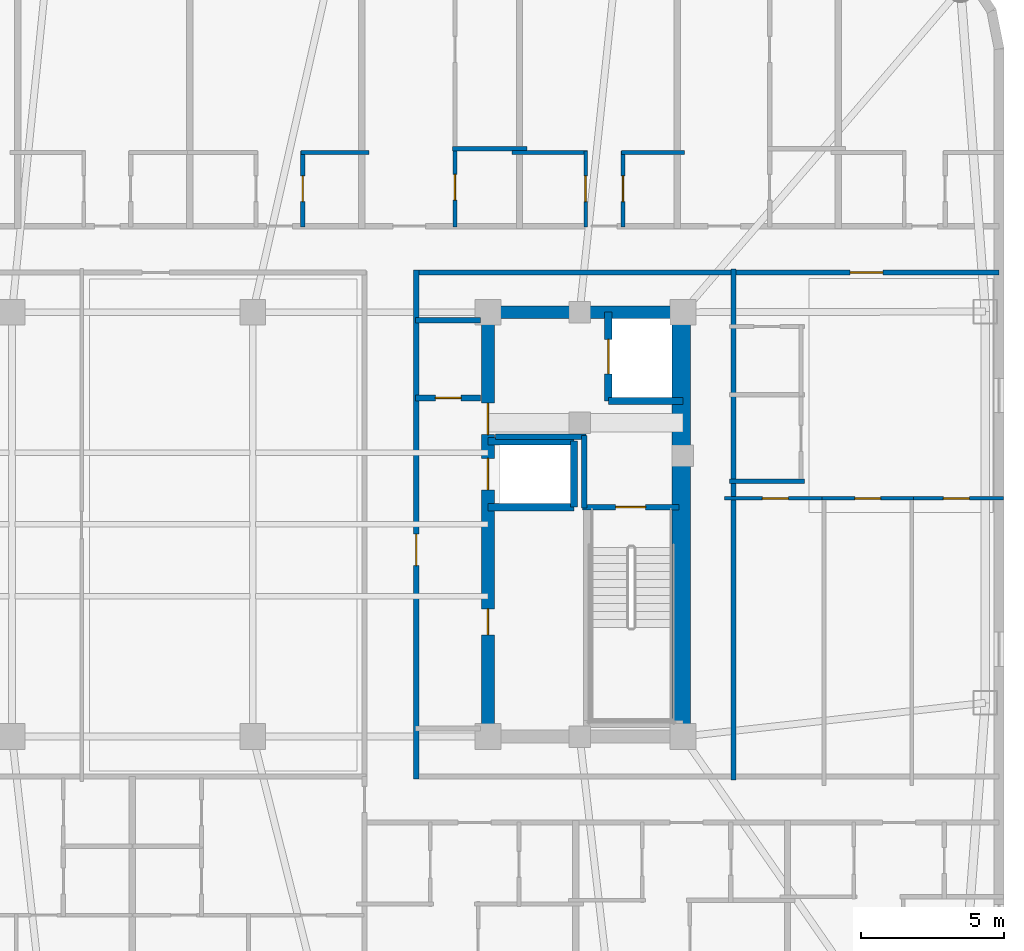
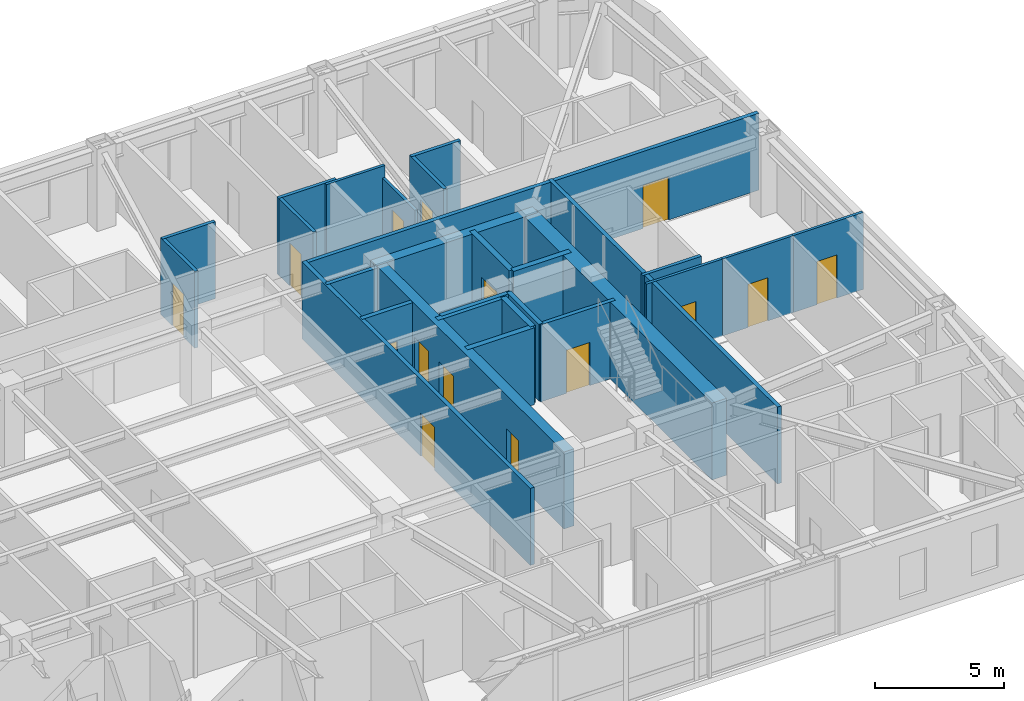
# One storey, part 12 of 16: 28 walls, 15 doors, 15 openings.
"""IFC4 building model written with IfcOpenShell, lengths in metres."""

from ifc_helpers import new_model, si_unit, direction, frame, frame_2d, origin, place, context, subcontext, project, spatial, rectangle, extrude, material, layer, layer_set, type_object, element, fill, save


model = new_model("IFC4")

# Units and contexts
model_context = context("Model", 3, precision=1e-05, world=origin(), true_north=direction((0.0, 1.0)))
body_context = subcontext(model_context, "Body", "Model", "MODEL_VIEW")
ifc_project = project(units=[si_unit("LENGTHUNIT", "METRE"), si_unit("AREAUNIT", "SQUARE_METRE"), si_unit("VOLUMEUNIT", "CUBIC_METRE"), si_unit("PLANEANGLEUNIT", "RADIAN"), si_unit("MASSUNIT", "GRAM", prefix="KILO")], contexts=[model_context])

# Site, building, storey
site_placement = place(None, origin())
site = spatial("IfcSite", under=ifc_project, at=site_placement, CompositionType="ELEMENT")
building_placement = place(site_placement, origin())
building = spatial("IfcBuilding", under=site, at=building_placement, Name="Voryun Gate Residences", CompositionType="ELEMENT")
storey_placement = place(building_placement, frame((0.0, 0.0, 208.0)))
storey = spatial("IfcBuildingStorey", under=building, at=storey_placement, Name="L51", CompositionType="ELEMENT", Elevation=208.0)

# Wall
ifc_material_1 = material(Name="Concrete C50/60", Category="concrete")
ifc_layer_1 = layer(ifc_material_1, 0.449951171875, Name="CW_CORE_450")
ifc_layer_set_1 = layer_set([ifc_layer_1], Name="Concrete C50/60")
wall_type_1 = type_object("IfcWallType", Name="CW_CORE_450", PredefinedType="SHEAR", material=ifc_layer_set_1)
wall_1_placement = place(storey_placement, frame((12.175048828125, 7.39990234375, 0.0), z_axis=(0.0, 0.0, 1.0), x_axis=(1.0, 0.0, 0.0)))
element("IfcWall", 1, at=wall_1_placement, inside=storey, type_object=wall_type_1, Name="L51 Core shear wall CW-L51-EN", PredefinedType="SHEAR", context=body_context, shape_type="SweptSolid", body=[
    extrude(rectangle(XDim=7.25, YDim=0.449951171875, at=frame_2d((3.625, 0.0))), origin(), (0.0, 0.0, 1.0), 3.64990234375),
])

# Wall, openings, doors
wall_2_placement = place(storey_placement, frame((12.39990234375, -7.39990234375, 0.0), z_axis=(0.0, 0.0, 1.0), x_axis=(0.0, 1.0, 0.0)))
wall_2 = element("IfcWall", 2, at=wall_2_placement, inside=storey, type_object=wall_type_1, Name="L51 Core shear wall CW-L51-EW", PredefinedType="SHEAR", context=body_context, shape_type="SweptSolid", body=[
    extrude(rectangle(XDim=14.7998046875, YDim=0.449951171875, at=frame_2d((7.39990234375, 0.0))), origin(), (0.0, 0.0, 1.0), 3.64990234375),
])
opening_1_placement = place(wall_2_placement, frame((8.60009765625, 0.0, 0.0)))
opening_1 = element("IfcOpeningElement", 3, at=opening_1_placement, cuts=wall_2, Name="Opening LD2", PredefinedType="OPENING", context=body_context, shape_type="SweptSolid", body=[
    extrude(rectangle(XDim=1.10009765625, YDim=2.050048828125, at=frame_2d((0.550048828125, 1.02490234375))), frame((0.0, 0.235107421875, 0.0), z_axis=(0.0, -1.0, 0.0), x_axis=(1.0, 0.0, 0.0)), (0.0, 0.0, 1.0), 0.469970703125),
])
opening_2_placement = place(wall_2_placement, frame((10.530029296875, 0.0, 0.0)))
opening_2 = element("IfcOpeningElement", 4, at=opening_2_placement, cuts=wall_2, Name="Opening D-FD60-2", PredefinedType="OPENING", context=body_context, shape_type="SweptSolid", body=[
    extrude(rectangle(XDim=1.10009765625, YDim=2.050048828125, at=frame_2d((0.550048828125, 1.02490234375))), frame((0.0, 0.235107421875, 0.0), z_axis=(0.0, -1.0, 0.0), x_axis=(1.0, 0.0, 0.0)), (0.0, 0.0, 1.0), 0.469970703125),
])
opening_3_placement = place(wall_2_placement, frame((3.550048828125, 0.0, 0.0)))
opening_3 = element("IfcOpeningElement", 5, at=opening_3_placement, cuts=wall_2, Name="Opening D-FD60-4", PredefinedType="OPENING", context=body_context, shape_type="SweptSolid", body=[
    extrude(rectangle(XDim=0.89990234375, YDim=2.050048828125, at=frame_2d((0.449951171875, 1.02490234375))), frame((0.0, 0.235107421875, 0.0), z_axis=(0.0, -1.0, 0.0), x_axis=(1.0, 0.0, 0.0)), (0.0, 0.0, 1.0), 0.469970703125),
])
ifc_material_2 = material(Name="Painted steel fire door", Category="steel")
door_type_1 = type_object("IfcDoorType", Name="DR_FD60_FFLOB_1100", OperationType="NOTDEFINED", PredefinedType="DOOR", material=ifc_material_2)
door_1_placement = place(opening_2_placement, origin())
door_1 = element("IfcDoor", 6, at=door_1_placement, inside=storey, type_object=door_type_1, Name="Door DR-L51-CLOB-E", OperationType="SINGLE_SWING_RIGHT", OverallHeight=2.050048828125, OverallWidth=1.10009765625, PredefinedType="DOOR", context=body_context, shape_type="SweptSolid", body=[
    extrude(rectangle(XDim=1.10009765625, YDim=2.050048828125, at=frame_2d((0.550048828125, 1.02490234375))), frame((0.0, 0.02490234375, 0.0), z_axis=(0.0, -1.0, 0.0), x_axis=(1.0, 0.0, 0.0)), (0.0, 0.0, 1.0), 0.050048828125),
])
fill(opening_2, door_1)
ifc_material_3 = material(Name="Painted steel fire door", Category="steel")
door_type_2 = type_object("IfcDoorType", Name="DR_FD60_RISER_900", OperationType="NOTDEFINED", PredefinedType="DOOR", material=ifc_material_3)
door_2_placement = place(opening_3_placement, origin())
door_2 = element("IfcDoor", 7, at=door_2_placement, inside=storey, type_object=door_type_2, Name="Door DR-L51-RECE-HI", OperationType="SINGLE_SWING_RIGHT", OverallHeight=2.050048828125, OverallWidth=0.89990234375, PredefinedType="DOOR", context=body_context, shape_type="SweptSolid", body=[
    extrude(rectangle(XDim=0.89990234375, YDim=2.050048828125, at=frame_2d((0.449951171875, 1.02490234375))), frame((0.0, 0.02490234375, 0.0), z_axis=(0.0, -1.0, 0.0), x_axis=(1.0, 0.0, 0.0)), (0.0, 0.0, 1.0), 0.050048828125),
])
fill(opening_3, door_2)
ifc_material_4 = material(Name="Anodised aluminium", Category="aluminium")
door_type_3 = type_object("IfcDoorType", Name="DR_LD_PASS_1100", OperationType="NOTDEFINED", PredefinedType="DOOR", material=ifc_material_4)
door_3_placement = place(opening_1_placement, origin())
door_3 = element("IfcDoor", 8, at=door_3_placement, inside=storey, type_object=door_type_3, Name="Lift EL-P8 sliding landing door L51", OperationType="SLIDING_TO_LEFT", OverallHeight=2.050048828125, OverallWidth=1.10009765625, PredefinedType="DOOR", context=body_context, shape_type="SweptSolid", body=[
    extrude(rectangle(XDim=1.10009765625, YDim=2.050048828125, at=frame_2d((0.550048828125, 1.02490234375))), frame((0.0, 0.02490234375, 0.0), z_axis=(0.0, -1.0, 0.0), x_axis=(1.0, 0.0, 0.0)), (0.0, 0.0, 1.0), 0.050048828125),
])
fill(opening_1, door_3)

# Wall
ifc_material_5 = material(Name="Concrete C60/75", Category="concrete")
ifc_layer_2 = layer(ifc_material_5, 0.64990234375, Name="CW_CORE_650")
ifc_layer_set_2 = layer_set([ifc_layer_2], Name="Concrete C60/75")
wall_type_2 = type_object("IfcWallType", Name="CW_CORE_650", PredefinedType="SHEAR", material=ifc_layer_set_2)
wall_3_placement = place(storey_placement, frame((19.14501953125, -7.39990234375, 0.0), z_axis=(0.0, 0.0, 1.0), x_axis=(0.0, 1.0, 0.0)))
element("IfcWall", 9, at=wall_3_placement, inside=storey, type_object=wall_type_2, Name="L51 Core shear wall CW-L51-EE", PredefinedType="SHEAR", context=body_context, shape_type="SweptSolid", body=[
    extrude(rectangle(XDim=14.7998046875, YDim=0.64990234375, at=frame_2d((7.39990234375, 0.0))), origin(), (0.0, 0.0, 1.0), 3.64990234375),
])

# Wall, opening, door
ifc_material_6 = material(Name="Gypsum acoustic fireboard")
ifc_layer_3 = layer(ifc_material_6, 0.179931640625, Name="W_CORR_RATED_180")
ifc_layer_set_3 = layer_set([ifc_layer_3], Name="Gypsum acoustic fireboard")
wall_type_3 = type_object("IfcWallType", Name="W_CORR_RATED_180", PredefinedType="PARTITIONING", material=ifc_layer_set_3)
wall_4_placement = place(storey_placement, frame((15.699951171875, 0.60009765625, 0.0), z_axis=(0.0, 0.0, 1.0), x_axis=(1.0, 0.0, 0.0)))
wall_4 = element("IfcWall", 10, at=wall_4_placement, inside=storey, type_object=wall_type_3, Name="Partition wall WP-L51-STV-E", PredefinedType="PARTITIONING", context=body_context, shape_type="SweptSolid", body=[
    extrude(rectangle(XDim=3.360107421875, YDim=0.179931640625, at=frame_2d((1.68017578125, 0.0))), origin(), (0.0, 0.0, 1.0), 3.64990234375),
])
opening_4_placement = place(wall_4_placement, frame((1.155029296875, 0.0, 0.0)))
opening_4 = element("IfcOpeningElement", 11, at=opening_4_placement, cuts=wall_4, Name="Opening D-FD60-1", PredefinedType="OPENING", context=body_context, shape_type="SweptSolid", body=[
    extrude(rectangle(XDim=1.050048828125, YDim=2.050048828125, at=frame_2d((0.52490234375, 1.02490234375))), frame((0.0, 0.099853515625, 0.0), z_axis=(0.0, -1.0, 0.0), x_axis=(1.0, 0.0, 0.0)), (0.0, 0.0, 1.0), 0.199951171875),
])
ifc_material_7 = material(Name="Painted steel fire door", Category="steel")
door_type_4 = type_object("IfcDoorType", Name="DR_FD60_STAIR_1050", OperationType="NOTDEFINED", PredefinedType="DOOR", material=ifc_material_7)
door_4_placement = place(opening_4_placement, origin())
door_4 = element("IfcDoor", 12, at=door_4_placement, inside=storey, type_object=door_type_4, Name="Door DR-L51-ST-E", OperationType="SINGLE_SWING_RIGHT", OverallHeight=2.050048828125, OverallWidth=1.050048828125, PredefinedType="DOOR", context=body_context, shape_type="SweptSolid", body=[
    extrude(rectangle(XDim=1.050048828125, YDim=2.050048828125, at=frame_2d((0.52490234375, 1.02490234375))), frame((0.0, 0.02490234375, 0.0), z_axis=(0.0, -1.0, 0.0), x_axis=(1.0, 0.0, 0.0)), (0.0, 0.0, 1.0), 0.050048828125),
])
fill(opening_4, door_4)

# Wall
wall_5_placement = place(storey_placement, frame((9.8798828125, 7.1201171875, 0.0), z_axis=(0.0, 0.0, 1.0), x_axis=(1.0, 0.0, 0.0)))
element("IfcWall", 13, at=wall_5_placement, inside=storey, type_object=wall_type_3, Name="Partition wall WP-L51-PLBN-E", PredefinedType="PARTITIONING", context=body_context, shape_type="SweptSolid", body=[
    extrude(rectangle(XDim=2.27001953125, YDim=0.179931640625, at=frame_2d((1.135009765625, 0.0))), origin(), (0.0, 0.0, 1.0), 3.64990234375),
])

# Wall, opening, door
wall_6_placement = place(storey_placement, frame((9.89990234375, -8.8798828125, 0.0), z_axis=(0.0, 0.0, 1.0), x_axis=(0.0, 1.0, 0.0)))
wall_6 = element("IfcWall", 14, at=wall_6_placement, inside=storey, type_object=wall_type_3, Name="Partition wall WP-L51-PLBE-FULL", PredefinedType="PARTITIONING", context=body_context, shape_type="SweptSolid", body=[
    extrude(rectangle(XDim=17.759765625, YDim=0.179931640625, at=frame_2d((8.8798828125, 0.0))), origin(), (0.0, 0.0, 1.0), 3.64990234375),
])
opening_5_placement = place(wall_6_placement, frame((7.44189453125, 0.0, 0.0)))
opening_5 = element("IfcOpeningElement", 15, at=opening_5_placement, cuts=wall_6, Name="Opening D-FD60-2", PredefinedType="OPENING", context=body_context, shape_type="SweptSolid", body=[
    extrude(rectangle(XDim=1.10009765625, YDim=2.050048828125, at=frame_2d((0.550048828125, 1.02490234375))), frame((0.0, 0.099853515625, 0.0), z_axis=(0.0, -1.0, 0.0), x_axis=(1.0, 0.0, 0.0)), (0.0, 0.0, 1.0), 0.199951171875),
])
door_5_placement = place(opening_5_placement, origin())
door_5 = element("IfcDoor", 16, at=door_5_placement, inside=storey, type_object=door_type_1, Name="Door DR-L51-PLBE-COR", OperationType="SINGLE_SWING_RIGHT", OverallHeight=2.050048828125, OverallWidth=1.10009765625, PredefinedType="DOOR", context=body_context, shape_type="SweptSolid", body=[
    extrude(rectangle(XDim=1.10009765625, YDim=2.050048828125, at=frame_2d((0.550048828125, 1.02490234375))), frame((0.0, 0.02490234375, 0.0), z_axis=(0.0, -1.0, 0.0), x_axis=(1.0, 0.0, 0.0)), (0.0, 0.0, 1.0), 0.050048828125),
])
fill(opening_5, door_5)

wall_7_placement = place(storey_placement, frame((9.8798828125, 8.7900390625, 0.0), z_axis=(0.0, 0.0, 1.0), x_axis=(1.0, 0.0, 0.0)))
wall_7 = element("IfcWall", 17, at=wall_7_placement, inside=storey, type_object=wall_type_3, Name="Partition wall WP-L51-CWING-EN", PredefinedType="PARTITIONING", context=body_context, shape_type="SweptSolid", body=[
    extrude(rectangle(XDim=20.35009765625, YDim=0.179931640625, at=frame_2d((10.175048828125, 0.0))), origin(), (0.0, 0.0, 1.0), 3.64990234375),
])
opening_6_placement = place(wall_7_placement, frame((15.1494140625, 0.0, 0.0)))
opening_6 = element("IfcOpeningElement", 18, at=opening_6_placement, cuts=wall_7, Name="Opening D-UNIT-1", PredefinedType="OPENING", context=body_context, shape_type="SweptSolid", body=[
    extrude(rectangle(XDim=1.14990234375, YDim=2.050048828125, at=frame_2d((0.574951171875, 1.02490234375))), frame((0.0, 0.099853515625, 0.0), z_axis=(0.0, -1.0, 0.0), x_axis=(1.0, 0.0, 0.0)), (0.0, 0.0, 1.0), 0.199951171875),
])
ifc_material_8 = material(Name="Armoured timber-clad fire door", Category="wood")
door_type_5 = type_object("IfcDoorType", Name="DR_UNIT_ENTRY_1150", OperationType="NOTDEFINED", PredefinedType="DOOR", material=ifc_material_8)
door_6_placement = place(opening_6_placement, origin())
door_6 = element("IfcDoor", 19, at=door_6_placement, inside=storey, type_object=door_type_5, Name="Door DR-L51-EE1N", OperationType="SINGLE_SWING_LEFT", OverallHeight=2.050048828125, OverallWidth=1.14990234375, PredefinedType="DOOR", context=body_context, shape_type="SweptSolid", body=[
    extrude(rectangle(XDim=1.14990234375, YDim=2.050048828125, at=frame_2d((0.574951171875, 1.02490234375))), frame((0.0, 0.02490234375, 0.0), z_axis=(0.0, -1.0, 0.0), x_axis=(1.0, 0.0, 0.0)), (0.0, 0.0, 1.0), 0.050048828125),
])
fill(opening_6, door_6)

# Walls
wall_8_placement = place(storey_placement, frame((20.969970703125, -8.909912109375, 0.0), z_axis=(0.0, 0.0, 1.0), x_axis=(0.0, 1.0, 0.0)))
element("IfcWall", 20, at=wall_8_placement, inside=storey, type_object=wall_type_3, Name="Partition wall WP-L51-ECOR", PredefinedType="PARTITIONING", context=body_context, shape_type="SweptSolid", body=[
    extrude(rectangle(XDim=17.81982421875, YDim=0.179931640625, at=frame_2d((8.909912109375, 0.0))), origin(), (0.0, 0.0, 1.0), 3.64990234375),
])
ifc_material_9 = material(Name="Concrete C40/50", Category="concrete")
ifc_layer_4 = layer(ifc_material_9, 0.199951171875, Name="W_FF_LOBBY_200")
ifc_layer_set_4 = layer_set([ifc_layer_4], Name="Concrete C40/50")
wall_type_4 = type_object("IfcWallType", Name="W_FF_LOBBY_200", PredefinedType="PARTITIONING", material=ifc_layer_set_4)
wall_9_placement = place(storey_placement, frame((15.760009765625, 0.580078125, 0.0), z_axis=(0.0, 0.0, 1.0), x_axis=(0.0, 1.0, 0.0)))
element("IfcWall", 21, at=wall_9_placement, inside=storey, type_object=wall_type_4, Name="Partition wall WP-L51-FFP0-E", PredefinedType="PARTITIONING", context=body_context, shape_type="SweptSolid", body=[
    extrude(rectangle(XDim=2.52001953125, YDim=0.199951171875, at=frame_2d((1.260009765625, 0.0))), origin(), (0.0, 0.0, 1.0), 3.64990234375),
])
wall_10_placement = place(storey_placement, frame((12.659912109375, 3.06005859375, 0.0), z_axis=(0.0, 0.0, 1.0), x_axis=(1.0, 0.0, 0.0)))
element("IfcWall", 22, at=wall_10_placement, inside=storey, type_object=wall_type_4, Name="Partition wall WP-L51-FFPS-E", PredefinedType="PARTITIONING", context=body_context, shape_type="SweptSolid", body=[
    extrude(rectangle(XDim=3.16015625, YDim=0.199951171875, at=frame_2d((1.580078125, 0.0))), origin(), (0.0, 0.0, 1.0), 3.64990234375),
])

# Wall, opening, door
wall_11_placement = place(storey_placement, frame((9.8798828125, 4.409912109375, 0.0), z_axis=(0.0, 0.0, 1.0), x_axis=(1.0, 0.0, 0.0)))
wall_11 = element("IfcWall", 23, at=wall_11_placement, inside=storey, type_object=wall_type_4, Name="Partition wall WP-L51-CSFLKS-E", PredefinedType="PARTITIONING", context=body_context, shape_type="SweptSolid", body=[
    extrude(rectangle(XDim=2.27001953125, YDim=0.199951171875, at=frame_2d((1.135009765625, 0.0))), origin(), (0.0, 0.0, 1.0), 3.64990234375),
])
opening_7_placement = place(wall_11_placement, frame((0.68505859375, 0.0, 0.0)))
opening_7 = element("IfcOpeningElement", 24, at=opening_7_placement, cuts=wall_11, Name="Opening D-FD60-4", PredefinedType="OPENING", context=body_context, shape_type="SweptSolid", body=[
    extrude(rectangle(XDim=0.89990234375, YDim=2.050048828125, at=frame_2d((0.449951171875, 1.02490234375))), frame((0.0, 0.110107421875, 0.0), z_axis=(0.0, -1.0, 0.0), x_axis=(1.0, 0.0, 0.0)), (0.0, 0.0, 1.0), 0.219970703125),
])
door_7_placement = place(opening_7_placement, origin())
door_7 = element("IfcDoor", 25, at=door_7_placement, inside=storey, type_object=door_type_2, Name="Door DR-L51-CSFLK-E", OperationType="SINGLE_SWING_RIGHT", OverallHeight=2.050048828125, OverallWidth=0.89990234375, PredefinedType="DOOR", context=body_context, shape_type="SweptSolid", body=[
    extrude(rectangle(XDim=0.89990234375, YDim=2.050048828125, at=frame_2d((0.449951171875, 1.02490234375))), frame((0.0, 0.02490234375, 0.0), z_axis=(0.0, -1.0, 0.0), x_axis=(1.0, 0.0, 0.0)), (0.0, 0.0, 1.0), 0.050048828125),
])
fill(opening_7, door_7)

# Wall
ifc_material_10 = material(Name="Concrete C50/60", Category="concrete")
ifc_layer_5 = layer(ifc_material_10, 0.25, Name="W_SHAFT_RC250")
ifc_layer_set_5 = layer_set([ifc_layer_5], Name="Concrete C50/60")
wall_type_5 = type_object("IfcWallType", Name="W_SHAFT_RC250", PredefinedType="SOLIDWALL", material=ifc_layer_set_5)
wall_12_placement = place(storey_placement, frame((16.60009765625, 4.300048828125, 0.0), z_axis=(0.0, 0.0, 1.0), x_axis=(1.0, 0.0, 0.0)))
element("IfcWall", 26, at=wall_12_placement, inside=storey, type_object=wall_type_5, Name="Lift shaft wall WSH-L51-EL-FF-E1-S", PredefinedType="SOLIDWALL", context=body_context, shape_type="SweptSolid", body=[
    extrude(rectangle(XDim=2.599853515625, YDim=0.25, at=frame_2d((1.2998046875, 0.0))), origin(), (0.0, 0.0, 1.0), 3.64990234375),
])

# Wall, opening, door
wall_13_placement = place(storey_placement, frame((16.60009765625, 7.39990234375, 0.0), z_axis=(0.0, 0.0, 1.0), x_axis=(0.0, -1.0, 0.0)))
wall_13 = element("IfcWall", 27, at=wall_13_placement, inside=storey, type_object=wall_type_5, Name="Lift shaft wall WSH-L51-EL-FF-E1-W", PredefinedType="SOLIDWALL", context=body_context, shape_type="SweptSolid", body=[
    extrude(rectangle(XDim=3.099853515625, YDim=0.25, at=frame_2d((1.5498046875, 0.0))), origin(), (0.0, 0.0, 1.0), 3.64990234375),
])
opening_8_placement = place(wall_13_placement, frame((0.949951171875, 0.0, 0.0)))
opening_8 = element("IfcOpeningElement", 28, at=opening_8_placement, cuts=wall_13, Name="Opening LD1", PredefinedType="OPENING", context=body_context, shape_type="SweptSolid", body=[
    extrude(rectangle(XDim=1.199951171875, YDim=2.050048828125, at=frame_2d((0.60009765625, 1.02490234375))), frame((0.0, 0.135009765625, 0.0), z_axis=(0.0, -1.0, 0.0), x_axis=(1.0, 0.0, 0.0)), (0.0, 0.0, 1.0), 0.27001953125),
])
ifc_material_11 = material(Name="Anodised aluminium", Category="aluminium")
door_type_6 = type_object("IfcDoorType", Name="DR_LD_FF_1200", OperationType="NOTDEFINED", PredefinedType="DOOR", material=ifc_material_11)
door_8_placement = place(opening_8_placement, origin())
door_8 = element("IfcDoor", 29, at=door_8_placement, inside=storey, type_object=door_type_6, Name="Lift EL-FF-E1 sliding landing door L51", OperationType="SLIDING_TO_LEFT", OverallHeight=2.050048828125, OverallWidth=1.199951171875, PredefinedType="DOOR", context=body_context, shape_type="SweptSolid", body=[
    extrude(rectangle(XDim=1.199951171875, YDim=2.050048828125, at=frame_2d((0.60009765625, 1.02490234375))), frame((0.0, 0.02490234375, 0.0), z_axis=(0.0, -1.0, 0.0), x_axis=(1.0, 0.0, 0.0)), (0.0, 0.0, 1.0), 0.050048828125),
])
fill(opening_8, door_8)

# Walls
wall_14_placement = place(storey_placement, frame((12.39990234375, 0.60009765625, 0.0), z_axis=(0.0, 0.0, 1.0), x_axis=(1.0, 0.0, 0.0)))
element("IfcWall", 30, at=wall_14_placement, inside=storey, type_object=wall_type_5, Name="Lift shaft wall WSH-L51-EL-P8-S", PredefinedType="SOLIDWALL", context=body_context, shape_type="SweptSolid", body=[
    extrude(rectangle(XDim=3.0, YDim=0.25, at=frame_2d((1.5, 0.0))), origin(), (0.0, 0.0, 1.0), 3.64990234375),
])
wall_15_placement = place(storey_placement, frame((15.39990234375, 0.60009765625, 0.0), z_axis=(0.0, 0.0, 1.0), x_axis=(0.0, 1.0, 0.0)))
element("IfcWall", 31, at=wall_15_placement, inside=storey, type_object=wall_type_5, Name="Lift shaft wall WSH-L51-EL-P8-E", PredefinedType="SOLIDWALL", context=body_context, shape_type="SweptSolid", body=[
    extrude(rectangle(XDim=2.2998046875, YDim=0.25, at=frame_2d((1.14990234375, 0.0))), origin(), (0.0, 0.0, 1.0), 3.64990234375),
])
wall_16_placement = place(storey_placement, frame((15.39990234375, 2.89990234375, 0.0), z_axis=(0.0, 0.0, 1.0), x_axis=(-1.0, 0.0, 0.0)))
element("IfcWall", 32, at=wall_16_placement, inside=storey, type_object=wall_type_5, Name="Lift shaft wall WSH-L51-EL-P8-N", PredefinedType="SOLIDWALL", context=body_context, shape_type="SweptSolid", body=[
    extrude(rectangle(XDim=3.0, YDim=0.25, at=frame_2d((1.5, 0.0))), origin(), (0.0, 0.0, 1.0), 3.64990234375),
])

# Wall, opening, door
ifc_material_12 = material(Name="Gypsum acoustic partition")
ifc_layer_6 = layer(ifc_material_12, 0.125, Name="W_UNIT_PART_125")
ifc_layer_set_6 = layer_set([ifc_layer_6], Name="Gypsum acoustic partition")
wall_type_6 = type_object("IfcWallType", Name="W_UNIT_PART_125", PredefinedType="PARTITIONING", material=ifc_layer_set_6)
wall_17_placement = place(storey_placement, frame((15.81005859375, 10.3798828125, 0.0), z_axis=(0.0, 0.0, 1.0), x_axis=(0.0, 1.0, 0.0)))
wall_17 = element("IfcWall", 33, at=wall_17_placement, inside=storey, type_object=wall_type_6, Name="Partition wall WP-L51-N7-CVK", PredefinedType="PARTITIONING", context=body_context, shape_type="SweptSolid", body=[
    extrude(rectangle(XDim=2.650146484375, YDim=0.125, at=frame_2d((1.3251953125, 0.0))), origin(), (0.0, 0.0, 1.0), 3.090087890625),
])
opening_9_placement = place(wall_17_placement, frame((0.875, 0.0, 0.0)))
opening_9 = element("IfcOpeningElement", 34, at=opening_9_placement, cuts=wall_17, Name="Opening D-INT-2", PredefinedType="OPENING", context=body_context, shape_type="SweptSolid", body=[
    extrude(rectangle(XDim=0.89990234375, YDim=2.050048828125, at=frame_2d((0.449951171875, 1.02490234375))), frame((0.0, 0.072509765625, 0.0), z_axis=(0.0, -1.0, 0.0), x_axis=(1.0, 0.0, 0.0)), (0.0, 0.0, 1.0), 0.14501953125),
])
ifc_material_13 = material(Name="Architectural oak veneer")
door_type_7 = type_object("IfcDoorType", Name="DR_INT_BATH_900", OperationType="NOTDEFINED", PredefinedType="DOOR", material=ifc_material_13)
door_9_placement = place(opening_9_placement, origin())
door_9 = element("IfcDoor", 35, at=door_9_placement, inside=storey, type_object=door_type_7, Name="Door DR-L51-N7-DK", OperationType="SINGLE_SWING_LEFT", OverallHeight=2.050048828125, OverallWidth=0.89990234375, PredefinedType="DOOR", context=body_context, shape_type="SweptSolid", body=[
    extrude(rectangle(XDim=0.89990234375, YDim=2.050048828125, at=frame_2d((0.449951171875, 1.02490234375))), frame((0.0, 0.02490234375, 0.0), z_axis=(0.0, -1.0, 0.0), x_axis=(1.0, 0.0, 0.0)), (0.0, 0.0, 1.0), 0.050048828125),
])
fill(opening_9, door_9)

# Wall
wall_18_placement = place(storey_placement, frame((13.239990234375, 12.969970703125, 0.0), z_axis=(0.0, 0.0, 1.0), x_axis=(1.0, 0.0, 0.0)))
element("IfcWall", 36, at=wall_18_placement, inside=storey, type_object=wall_type_6, Name="Partition wall WP-L51-N7-CHK", PredefinedType="PARTITIONING", context=body_context, shape_type="SweptSolid", body=[
    extrude(rectangle(XDim=2.630126953125, YDim=0.125, at=frame_2d((1.31494140625, 0.0))), origin(), (0.0, 0.0, 1.0), 3.64990234375),
])

# Wall, opening, door
wall_19_placement = place(storey_placement, frame((20.64990234375, 0.909912109375, 0.0), z_axis=(0.0, 0.0, 1.0), x_axis=(1.0, 0.0, 0.0)))
wall_19 = element("IfcWall", 37, at=wall_19_placement, inside=storey, type_object=wall_type_6, Name="Partition wall WP-L51-E1-HZMB1", PredefinedType="PARTITIONING", context=body_context, shape_type="SweptSolid", body=[
    extrude(rectangle(XDim=3.53369140625, YDim=0.125, at=frame_2d((1.766845703125, 0.0))), origin(), (0.0, 0.0, 1.0), 3.64990234375),
])
opening_10_placement = place(wall_19_placement, frame((1.325439453125, 0.0, 0.0)))
opening_10 = element("IfcOpeningElement", 38, at=opening_10_placement, cuts=wall_19, Name="Opening D-INT-2", PredefinedType="OPENING", context=body_context, shape_type="SweptSolid", body=[
    extrude(rectangle(XDim=0.89990234375, YDim=2.050048828125, at=frame_2d((0.449951171875, 1.02490234375))), frame((0.0, 0.072509765625, 0.0), z_axis=(0.0, -1.0, 0.0), x_axis=(1.0, 0.0, 0.0)), (0.0, 0.0, 1.0), 0.14501953125),
])
door_10_placement = place(opening_10_placement, origin())
door_10 = element("IfcDoor", 39, at=door_10_placement, inside=storey, type_object=door_type_7, Name="Door DR-L51-E1-DMB", OperationType="SINGLE_SWING_LEFT", OverallHeight=2.050048828125, OverallWidth=0.89990234375, PredefinedType="DOOR", context=body_context, shape_type="SweptSolid", body=[
    extrude(rectangle(XDim=0.89990234375, YDim=2.050048828125, at=frame_2d((0.449951171875, 1.02490234375))), frame((0.0, 0.02490234375, 0.0), z_axis=(0.0, -1.0, 0.0), x_axis=(1.0, 0.0, 0.0)), (0.0, 0.0, 1.0), 0.050048828125),
])
fill(opening_10, door_10)

wall_20_placement = place(storey_placement, frame((24.05859375, 0.909912109375, 0.0), z_axis=(0.0, 0.0, 1.0), x_axis=(1.0, 0.0, 0.0)))
wall_20 = element("IfcWall", 40, at=wall_20_placement, inside=storey, type_object=wall_type_6, Name="Partition wall WP-L51-E1-HZMB2", PredefinedType="PARTITIONING", context=body_context, shape_type="SweptSolid", body=[
    extrude(rectangle(XDim=3.182861328125, YDim=0.125, at=frame_2d((1.59130859375, 0.0))), origin(), (0.0, 0.0, 1.0), 3.64990234375),
])
opening_11_placement = place(wall_20_placement, frame((1.1416015625, 0.0, 0.0)))
opening_11 = element("IfcOpeningElement", 41, at=opening_11_placement, cuts=wall_20, Name="Opening D-INT-2", PredefinedType="OPENING", context=body_context, shape_type="SweptSolid", body=[
    extrude(rectangle(XDim=0.89990234375, YDim=2.050048828125, at=frame_2d((0.449951171875, 1.02490234375))), frame((0.0, 0.072509765625, 0.0), z_axis=(0.0, -1.0, 0.0), x_axis=(1.0, 0.0, 0.0)), (0.0, 0.0, 1.0), 0.14501953125),
])
door_11_placement = place(opening_11_placement, origin())
door_11 = element("IfcDoor", 42, at=door_11_placement, inside=storey, type_object=door_type_7, Name="Door DR-L51-E1-DBD2", OperationType="SINGLE_SWING_RIGHT", OverallHeight=2.050048828125, OverallWidth=0.89990234375, PredefinedType="DOOR", context=body_context, shape_type="SweptSolid", body=[
    extrude(rectangle(XDim=0.89990234375, YDim=2.050048828125, at=frame_2d((0.449951171875, 1.02490234375))), frame((0.0, 0.02490234375, 0.0), z_axis=(0.0, -1.0, 0.0), x_axis=(1.0, 0.0, 0.0)), (0.0, 0.0, 1.0), 0.050048828125),
])
fill(opening_11, door_11)

wall_21_placement = place(storey_placement, frame((27.116455078125, 0.909912109375, 0.0), z_axis=(0.0, 0.0, 1.0), x_axis=(1.0, 0.0, 0.0)))
wall_21 = element("IfcWall", 43, at=wall_21_placement, inside=storey, type_object=wall_type_6, Name="Partition wall WP-L51-E1-HZMB3", PredefinedType="PARTITIONING", context=body_context, shape_type="SweptSolid", body=[
    extrude(rectangle(XDim=3.263427734375, YDim=0.125, at=frame_2d((1.6318359375, 0.0))), origin(), (0.0, 0.0, 1.0), 3.64990234375),
])
opening_12_placement = place(wall_21_placement, frame((1.173095703125, 0.0, 0.0)))
opening_12 = element("IfcOpeningElement", 44, at=opening_12_placement, cuts=wall_21, Name="Opening D-INT-2", PredefinedType="OPENING", context=body_context, shape_type="SweptSolid", body=[
    extrude(rectangle(XDim=0.89990234375, YDim=2.050048828125, at=frame_2d((0.449951171875, 1.02490234375))), frame((0.0, 0.072509765625, 0.0), z_axis=(0.0, -1.0, 0.0), x_axis=(1.0, 0.0, 0.0)), (0.0, 0.0, 1.0), 0.14501953125),
])
door_12_placement = place(opening_12_placement, origin())
door_12 = element("IfcDoor", 45, at=door_12_placement, inside=storey, type_object=door_type_7, Name="Door DR-L51-E1-DBD3", OperationType="SINGLE_SWING_LEFT", OverallHeight=2.050048828125, OverallWidth=0.89990234375, PredefinedType="DOOR", context=body_context, shape_type="SweptSolid", body=[
    extrude(rectangle(XDim=0.89990234375, YDim=2.050048828125, at=frame_2d((0.449951171875, 1.02490234375))), frame((0.0, 0.02490234375, 0.0), z_axis=(0.0, -1.0, 0.0), x_axis=(1.0, 0.0, 0.0)), (0.0, 0.0, 1.0), 0.050048828125),
])
fill(opening_12, door_12)

ifc_material_14 = material(Name="Gypsum moisture-resistant partition")
ifc_layer_7 = layer(ifc_material_14, 0.14990234375, Name="W_WET_PLUMB_150")
ifc_layer_set_7 = layer_set([ifc_layer_7], Name="Gypsum moisture-resistant partition")
wall_type_7 = type_object("IfcWallType", Name="W_WET_PLUMB_150", PredefinedType="PLUMBINGWALL", material=ifc_layer_set_7)
wall_22_placement = place(storey_placement, frame((5.94091796875, 10.3798828125, 0.0), z_axis=(0.0, 0.0, 1.0), x_axis=(0.0, 1.0, 0.0)))
wall_22 = element("IfcWall", 46, at=wall_22_placement, inside=storey, type_object=wall_type_7, Name="Partition wall WP-L51-N5-CVB", PredefinedType="PLUMBINGWALL", context=body_context, shape_type="SweptSolid", body=[
    extrude(rectangle(XDim=2.650146484375, YDim=0.14990234375, at=frame_2d((1.3251953125, 0.0))), origin(), (0.0, 0.0, 1.0), 3.64990234375),
])
opening_13_placement = place(wall_22_placement, frame((0.875, 0.0, 0.0)))
opening_13 = element("IfcOpeningElement", 47, at=opening_13_placement, cuts=wall_22, Name="Opening D-INT-2", PredefinedType="OPENING", context=body_context, shape_type="SweptSolid", body=[
    extrude(rectangle(XDim=0.89990234375, YDim=2.050048828125, at=frame_2d((0.449951171875, 1.02490234375))), frame((0.0, 0.0849609375, 0.0), z_axis=(0.0, -1.0, 0.0), x_axis=(1.0, 0.0, 0.0)), (0.0, 0.0, 1.0), 0.169921875),
])
door_13_placement = place(opening_13_placement, origin())
door_13 = element("IfcDoor", 48, at=door_13_placement, inside=storey, type_object=door_type_7, Name="Door DR-L51-N5-DB", OperationType="SINGLE_SWING_RIGHT", OverallHeight=2.050048828125, OverallWidth=0.89990234375, PredefinedType="DOOR", context=body_context, shape_type="SweptSolid", body=[
    extrude(rectangle(XDim=0.89990234375, YDim=2.050048828125, at=frame_2d((0.449951171875, 1.02490234375))), frame((0.0, 0.02490234375, 0.0), z_axis=(0.0, -1.0, 0.0), x_axis=(1.0, 0.0, 0.0)), (0.0, 0.0, 1.0), 0.050048828125),
])
fill(opening_13, door_13)

# Walls
wall_23_placement = place(storey_placement, frame((5.881103515625, 12.969970703125, 0.0), z_axis=(0.0, 0.0, 1.0), x_axis=(1.0, 0.0, 0.0)))
element("IfcWall", 49, at=wall_23_placement, inside=storey, type_object=wall_type_7, Name="Partition wall WP-L51-N5-CHB", PredefinedType="PLUMBINGWALL", context=body_context, shape_type="SweptSolid", body=[
    extrude(rectangle(XDim=2.37890625, YDim=0.14990234375, at=frame_2d((1.189453125, 0.0))), origin(), (0.0, 0.0, 1.0), 3.64990234375),
])
wall_24_placement = place(storey_placement, frame((11.169921875, 13.10009765625, 0.0), z_axis=(0.0, 0.0, 1.0), x_axis=(1.0, 0.0, 0.0)))
element("IfcWall", 50, at=wall_24_placement, inside=storey, type_object=wall_type_7, Name="Partition wall WP-L51-N6-SKB", PredefinedType="PLUMBINGWALL", context=body_context, shape_type="SweptSolid", body=[
    extrude(rectangle(XDim=2.590087890625, YDim=0.14990234375, at=frame_2d((1.294921875, 0.0))), origin(), (0.0, 0.0, 1.0), 3.64990234375),
])

# Wall, opening, door
wall_25_placement = place(storey_placement, frame((11.25, 10.3798828125, 0.0), z_axis=(0.0, 0.0, 1.0), x_axis=(0.0, 1.0, 0.0)))
wall_25 = element("IfcWall", 51, at=wall_25_placement, inside=storey, type_object=wall_type_7, Name="Partition wall WP-L51-N6-SVT1", PredefinedType="PLUMBINGWALL", context=body_context, shape_type="SweptSolid", body=[
    extrude(rectangle(XDim=2.760009765625, YDim=0.14990234375, at=frame_2d((1.3798828125, 0.0))), origin(), (0.0, 0.0, 1.0), 3.64990234375),
])
opening_14_placement = place(wall_25_placement, frame((0.929931640625, 0.0, 0.0)))
opening_14 = element("IfcOpeningElement", 52, at=opening_14_placement, cuts=wall_25, Name="Opening D-INT-2", PredefinedType="OPENING", context=body_context, shape_type="SweptSolid", body=[
    extrude(rectangle(XDim=0.89990234375, YDim=2.050048828125, at=frame_2d((0.449951171875, 1.02490234375))), frame((0.0, 0.0849609375, 0.0), z_axis=(0.0, -1.0, 0.0), x_axis=(1.0, 0.0, 0.0)), (0.0, 0.0, 1.0), 0.169921875),
])
door_14_placement = place(opening_14_placement, origin())
door_14 = element("IfcDoor", 53, at=door_14_placement, inside=storey, type_object=door_type_7, Name="Door DR-L51-N6-DB", OperationType="SINGLE_SWING_LEFT", OverallHeight=2.050048828125, OverallWidth=0.89990234375, PredefinedType="DOOR", context=body_context, shape_type="SweptSolid", body=[
    extrude(rectangle(XDim=0.89990234375, YDim=2.050048828125, at=frame_2d((0.449951171875, 1.02490234375))), frame((0.0, 0.02490234375, 0.0), z_axis=(0.0, -1.0, 0.0), x_axis=(1.0, 0.0, 0.0)), (0.0, 0.0, 1.0), 0.050048828125),
])
fill(opening_14, door_14)

wall_26_placement = place(storey_placement, frame((17.111083984375, 10.3798828125, 0.0), z_axis=(0.0, 0.0, 1.0), x_axis=(0.0, 1.0, 0.0)))
wall_26 = element("IfcWall", 54, at=wall_26_placement, inside=storey, type_object=wall_type_7, Name="Partition wall WP-L51-N7-CVB", PredefinedType="PLUMBINGWALL", context=body_context, shape_type="SweptSolid", body=[
    extrude(rectangle(XDim=2.650146484375, YDim=0.14990234375, at=frame_2d((1.3251953125, 0.0))), origin(), (0.0, 0.0, 1.0), 3.64990234375),
])
opening_15_placement = place(wall_26_placement, frame((0.875, 0.0, 0.0)))
opening_15 = element("IfcOpeningElement", 55, at=opening_15_placement, cuts=wall_26, Name="Opening D-INT-2", PredefinedType="OPENING", context=body_context, shape_type="SweptSolid", body=[
    extrude(rectangle(XDim=0.89990234375, YDim=2.050048828125, at=frame_2d((0.449951171875, 1.02490234375))), frame((0.0, 0.0849609375, 0.0), z_axis=(0.0, -1.0, 0.0), x_axis=(1.0, 0.0, 0.0)), (0.0, 0.0, 1.0), 0.169921875),
])
door_15_placement = place(opening_15_placement, origin())
door_15 = element("IfcDoor", 56, at=door_15_placement, inside=storey, type_object=door_type_7, Name="Door DR-L51-N7-DB", OperationType="SINGLE_SWING_RIGHT", OverallHeight=2.050048828125, OverallWidth=0.89990234375, PredefinedType="DOOR", context=body_context, shape_type="SweptSolid", body=[
    extrude(rectangle(XDim=0.89990234375, YDim=2.050048828125, at=frame_2d((0.449951171875, 1.02490234375))), frame((0.0, 0.02490234375, 0.0), z_axis=(0.0, -1.0, 0.0), x_axis=(1.0, 0.0, 0.0)), (0.0, 0.0, 1.0), 0.050048828125),
])
fill(opening_15, door_15)

# Walls
wall_27_placement = place(storey_placement, frame((17.051025390625, 12.969970703125, 0.0), z_axis=(0.0, 0.0, 1.0), x_axis=(1.0, 0.0, 0.0)))
element("IfcWall", 57, at=wall_27_placement, inside=storey, type_object=wall_type_7, Name="Partition wall WP-L51-N7-CHB", PredefinedType="PLUMBINGWALL", context=body_context, shape_type="SweptSolid", body=[
    extrude(rectangle(XDim=2.208984375, YDim=0.14990234375, at=frame_2d((1.1044921875, 0.0))), origin(), (0.0, 0.0, 1.0), 3.64990234375),
])
wall_28_placement = place(storey_placement, frame((20.820068359375, 1.5, 0.0), z_axis=(0.0, 0.0, 1.0), x_axis=(1.0, 0.0, 0.0)))
element("IfcWall", 58, at=wall_28_placement, inside=storey, type_object=wall_type_7, Name="Partition wall WP-L51-E1-IBB", PredefinedType="PLUMBINGWALL", context=body_context, shape_type="SweptSolid", body=[
    extrude(rectangle(XDim=2.619873046875, YDim=0.14990234375, at=frame_2d((1.31005859375, 0.0))), origin(), (0.0, 0.0, 1.0), 3.64990234375),
])

save(model, "model.ifc")
